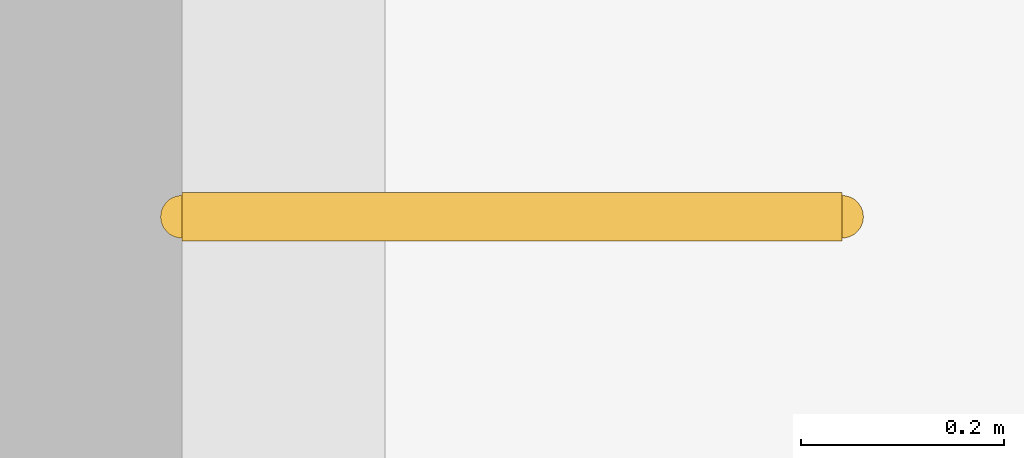
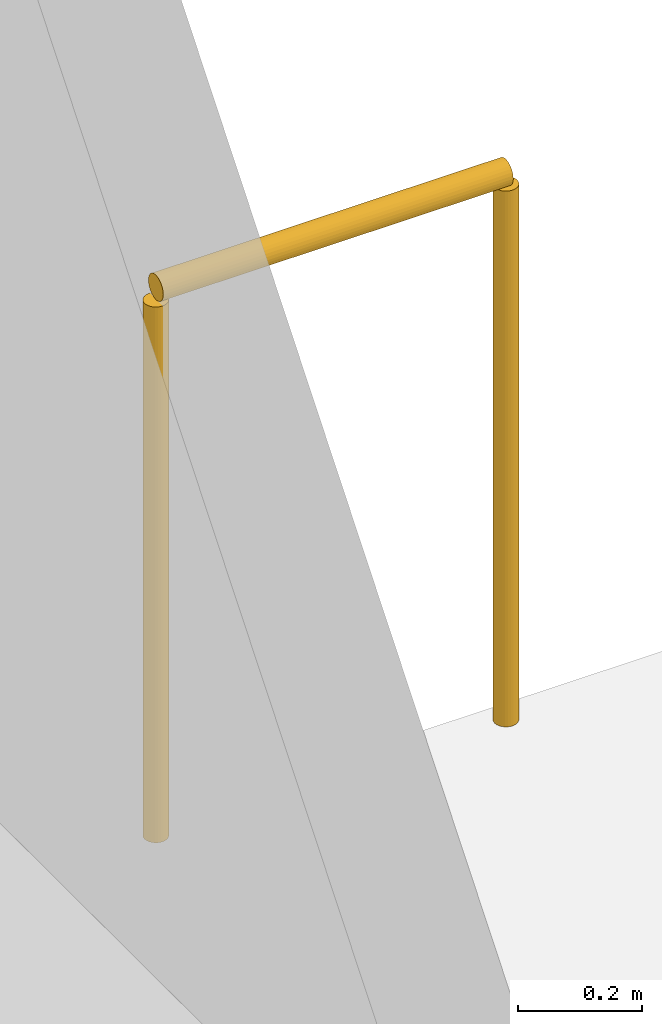
# One storey, part 65 of 67: 1 railing.
"""IFC4 building model written with IfcOpenShell, lengths in metres."""

from ifc_helpers import new_model, si_unit, direction, frame, origin, origin_2d, place, context, subcontext, project, spatial, circle, extrude, material, type_object, element, save


model = new_model("IFC4")

# Units and contexts
model_context = context("Model", 3, precision=1e-05, world=origin(), true_north=direction((0.0, 1.0)))
body_context = subcontext(model_context, "Body", "Model", "MODEL_VIEW")
ifc_project = project(units=[si_unit("LENGTHUNIT", "METRE"), si_unit("AREAUNIT", "SQUARE_METRE"), si_unit("VOLUMEUNIT", "CUBIC_METRE"), si_unit("PLANEANGLEUNIT", "RADIAN"), si_unit("MASSUNIT", "GRAM", prefix="KILO")], contexts=[model_context])

# Site, building, storey
site_placement = place(None, origin())
site = spatial("IfcSite", under=ifc_project, at=site_placement, CompositionType="ELEMENT")
building_placement = place(site_placement, origin())
building = spatial("IfcBuilding", under=site, at=building_placement, Name="Kiln Court Media Centre", CompositionType="ELEMENT")
storey_placement = place(building_placement, frame((0.0, 0.0, 19.800048828125)))
storey = spatial("IfcBuildingStorey", under=building, at=storey_placement, Name="L04", CompositionType="ELEMENT", Elevation=19.800048828125)

# Railing
ifc_material = material(Name="Steel S275", Category="steel")
railing_type = type_object("IfcRailingType", Name="Steel S275 stair guard 1100", PredefinedType="GUARDRAIL", material=ifc_material)
railing_placement = place(storey_placement, frame((126.85009765625, 18.89990234375, 0.0)))
element("IfcRailing", 1, at=railing_placement, inside=storey, type_object=railing_type, Name="ST-16 landing edge guard", PredefinedType="GUARDRAIL", context=body_context, shape_type="SweptSolid", body=[
    extrude(circle(Radius=0.02392578125, at=origin_2d()), frame((0.0, 0.0, 1.076171875), z_axis=(-1.0, 0.0, 0.0), x_axis=(0.0, -1.0, 0.0)), (0.0, 0.0, 1.0), 0.650146484375),
    extrude(circle(Radius=0.02099609375, at=origin_2d()), origin(), (0.0, 0.0, 1.0), 1.052001953125),
    extrude(circle(Radius=0.02099609375, at=origin_2d()), frame((-0.650146484375, 0.0, 0.0)), (0.0, 0.0, 1.0), 1.052001953125),
])

save(model, "model.ifc")
